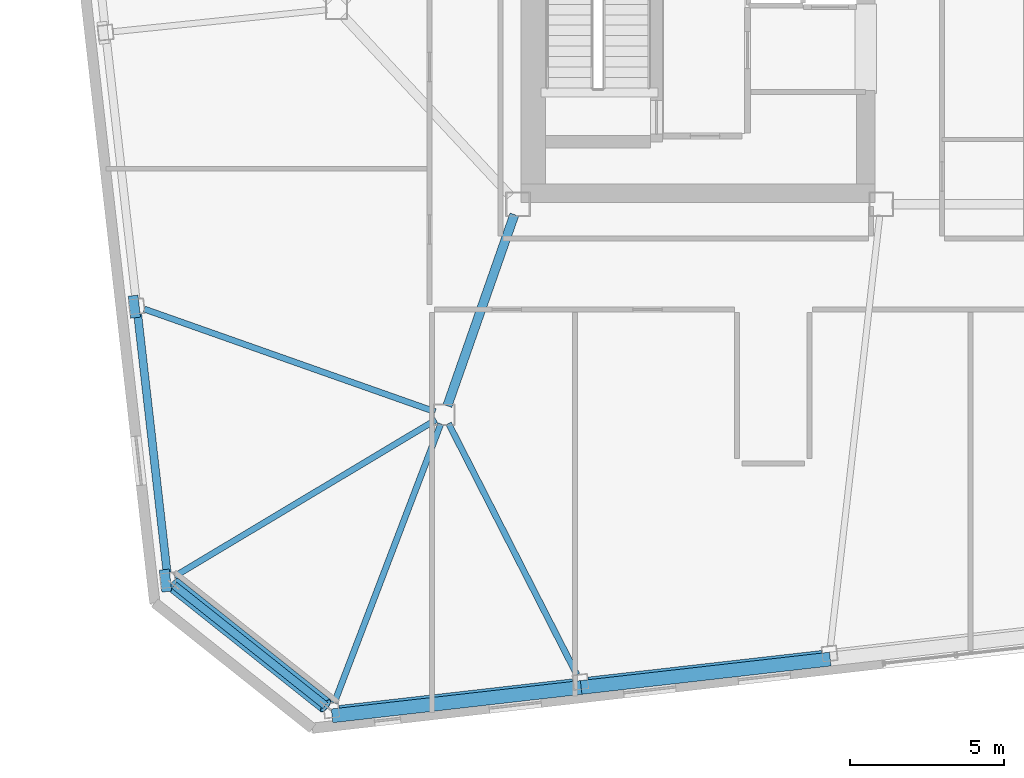
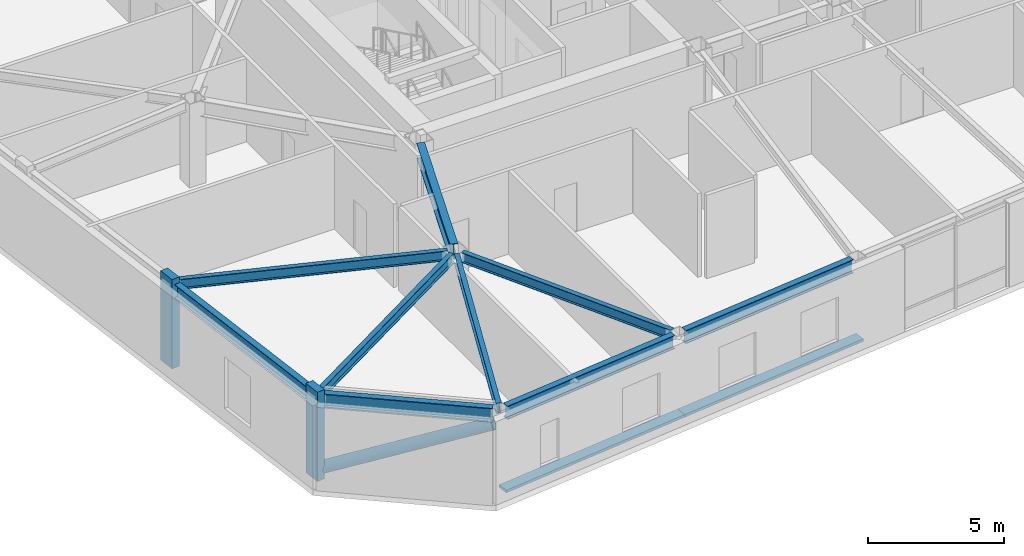
# One storey, part 3 of 19: 9 beams, 5 members.
"""IFC4 building model written with IfcOpenShell, lengths in metres."""

from ifc_helpers import new_model, si_unit, direction, frame, origin, origin_2d, place, context, subcontext, project, spatial, rectangle, hollow_circle, i_section, extrude, material, material_profile, profile_set, type_object, element, save


model = new_model("IFC4")

# Units and contexts
model_context = context("Model", 3, precision=1e-05, world=origin(), true_north=direction((0.0, 1.0)))
body_context = subcontext(model_context, "Body", "Model", "MODEL_VIEW")
ifc_project = project(units=[si_unit("LENGTHUNIT", "METRE"), si_unit("AREAUNIT", "SQUARE_METRE"), si_unit("VOLUMEUNIT", "CUBIC_METRE"), si_unit("PLANEANGLEUNIT", "RADIAN"), si_unit("MASSUNIT", "GRAM", prefix="KILO")], contexts=[model_context])

# Site, building, storey
site_placement = place(None, origin())
site = spatial("IfcSite", under=ifc_project, at=site_placement, CompositionType="ELEMENT")
building_placement = place(site_placement, origin())
building = spatial("IfcBuilding", under=site, at=building_placement, Name="Tavrogorsk Clinical Tower", CompositionType="ELEMENT")
storey_placement = place(building_placement, frame((0.0, 0.0, 259.0)))
storey = spatial("IfcBuildingStorey", under=building, at=storey_placement, Name="L60", CompositionType="ELEMENT", Elevation=259.0)

# Members
ifc_material_1 = material(Name="Anodised aluminium alloy AW-6063", Category="aluminium")
ifc_material_profile_1 = material_profile(ifc_material_1, rectangle(XDim=0.449951171875, YDim=0.1201171875, at=origin_2d()), Name="ALU-SUNSHADE-450x120")
ifc_profile_set_1 = profile_set([ifc_material_profile_1], Name="Anodised aluminium alloy AW-6063")
member_type_1 = type_object("IfcMemberType", Name="ChicagoSunshade_450x120", PredefinedType="USERDEFINED", material=ifc_profile_set_1)
for number, where, z_axis, x_axis, name in (
    (1, (-28.144287109375, -22.981201171875, 0.179931640625), (0.9935729766, 0.113193375116, 0.0), (-0.113193375116, 0.9935729766, 0.0), "L60 South Aluminium Sunshade S1"),
    (2, (-20.048095703125, -22.058837890625, 0.179931640625), (0.9935729766, 0.113193375116, 0.0), (-0.113193375116, 0.9935729766, 0.0), "L60 South Aluminium Sunshade S2"),
):
    element("IfcMember", number, at=place(storey_placement, frame(where, z_axis=z_axis, x_axis=x_axis)), inside=storey, type_object=member_type_1, Name=name, ObjectType="SUNSHADE", PredefinedType="USERDEFINED", context=body_context, shape_type="SweptSolid", body=[
        extrude(rectangle(XDim=0.449951171875, YDim=0.1201171875, at=origin_2d()), origin(), (0.0, 0.0, 1.0), 8.148681640625),
    ])
ifc_material_2 = material(Name="Structural steel S440", Category="steel")
ifc_material_profile_2 = material_profile(ifc_material_2, hollow_circle(Radius=0.25390625, WallThickness=0.02001953125, at=origin_2d()), Name="CHS-508x20")
ifc_profile_set_2 = profile_set([ifc_material_profile_2], Name="Structural steel S440")
member_type_2 = type_object("IfcMemberType", Name="ExoBrace_CHS508", PredefinedType="BRACE", material=ifc_profile_set_2)
member_placement = place(storey_placement, frame((-33.29052734375, -18.725341796875, 0.398193359375), z_axis=(0.723851679348, -0.575789482159, 0.380138420237), x_axis=(0.622522488852, 0.782601910855, 0.0)))
element("IfcMember", 3, at=member_placement, inside=storey, type_object=member_type_2, Name="L60 Corner Exoskeleton Brace W5-S1", PredefinedType="BRACE", context=body_context, shape_type="SweptSolid", body=[
    extrude(hollow_circle(Radius=0.25390625, WallThickness=0.02001953125, at=origin_2d()), origin(), (0.0, 0.0, 1.0), 6.8232421875),
])

# Beams
ifc_material_3 = material(Name="Structural steel S355", Category="steel")
ifc_material_profile_3 = material_profile(ifc_material_3, i_section(OverallWidth=0.199951171875, OverallDepth=0.449951171875, WebThickness=0.011474609375, FlangeThickness=0.01806640625, at=origin_2d()), Name="B-450x200x11.5x18")
ifc_profile_set_3 = profile_set([ifc_material_profile_3], Name="Structural steel S355")
beam_type_1 = type_object("IfcBeamType", Name="FloorBeam_B450", PredefinedType="BEAM", material=ifc_profile_set_3)
beam_1_placement = place(storey_placement, frame((-24.610595703125, -13.489501953125, 3.514892578125), z_axis=(-0.356548354426, -0.93427687061, 0.0), x_axis=(0.93427687061, -0.356548354426, 0.0)))
element("IfcBeam", 4, at=beam_1_placement, inside=storey, type_object=beam_type_1, Name="L60 Radial Floor Beam S1", PredefinedType="BEAM", context=body_context, shape_type="SweptSolid", body=[
    extrude(i_section(OverallWidth=0.199951171875, OverallDepth=0.449951171875, WebThickness=0.011474609375, FlangeThickness=0.01806640625, at=origin_2d()), origin(), (0.0, 0.0, 1.0), 9.710205078125),
])
beam_2_placement = place(storey_placement, frame((-24.359130859375, -13.47607421875, 3.514892578125), z_axis=(0.454709818127, -0.890639647275, 0.0), x_axis=(0.890639647275, 0.454709818127, 0.0)))
element("IfcBeam", 5, at=beam_2_placement, inside=storey, type_object=beam_type_1, Name="L60 Radial Floor Beam S2", PredefinedType="BEAM", context=body_context, shape_type="SweptSolid", body=[
    extrude(i_section(OverallWidth=0.199951171875, OverallDepth=0.449951171875, WebThickness=0.011474609375, FlangeThickness=0.01806640625, at=origin_2d()), origin(), (0.0, 0.0, 1.0), 9.177978515625),
])
beam_3_placement = place(storey_placement, frame((-24.792236328125, -13.096923828125, 3.514892578125), z_axis=(-0.943014153926, 0.332752619067, 0.0), x_axis=(-0.332752619067, -0.943014153926, 0.0)))
element("IfcBeam", 6, at=beam_3_placement, inside=storey, type_object=beam_type_1, Name="L60 Radial Floor Beam W4", PredefinedType="BEAM", context=body_context, shape_type="SweptSolid", body=[
    extrude(i_section(OverallWidth=0.199951171875, OverallDepth=0.449951171875, WebThickness=0.011474609375, FlangeThickness=0.01806640625, at=origin_2d()), origin(), (0.0, 0.0, 1.0), 10.027587890625),
])
beam_4_placement = place(storey_placement, frame((-24.765869140625, -13.359375, 3.514892578125), z_axis=(-0.857906237315, -0.513806274754, 0.0), x_axis=(0.513806274754, -0.857906237315, 0.0)))
element("IfcBeam", 7, at=beam_4_placement, inside=storey, type_object=beam_type_1, Name="L60 Radial Floor Beam W5", PredefinedType="BEAM", context=body_context, shape_type="SweptSolid", body=[
    extrude(i_section(OverallWidth=0.199951171875, OverallDepth=0.449951171875, WebThickness=0.011474609375, FlangeThickness=0.01806640625, at=origin_2d()), origin(), (0.0, 0.0, 1.0), 9.896240234375),
])

# Members
ifc_material_4 = material(Name="Precast concrete B45 with limestone cladding", Category="masonry")
ifc_material_profile_4 = material_profile(ifc_material_4, rectangle(XDim=0.320068359375, YDim=0.719970703125, at=origin_2d()), Name="LIMESTONE-FIN-320x720")
ifc_profile_set_4 = profile_set([ifc_material_profile_4], Name="Precast concrete B45 with limestone cladding")
member_type_3 = type_object("IfcMemberType", Name="LimestonePleatFin_320x720", PredefinedType="USERDEFINED", material=ifc_profile_set_4)
for number, where, z_axis, x_axis, name in (
    (8, (-34.571044921875, -9.683349609375, 0.0), (0.0, 0.0, 1.0), (0.993571855677, 0.113203213768, 0.0), "L60 W Pleated Stone Fin 3"),
    (9, (-33.556640625, -18.585693359375, 0.0), (0.0, 0.0, 1.0), (0.993571855677, 0.113203213768, 0.0), "L60 W Pleated Stone Fin 4"),
):
    element("IfcMember", number, at=place(storey_placement, frame(where, z_axis=z_axis, x_axis=x_axis)), inside=storey, type_object=member_type_3, Name=name, ObjectType="FIN", PredefinedType="USERDEFINED", context=body_context, shape_type="SweptSolid", body=[
        extrude(rectangle(XDim=0.320068359375, YDim=0.719970703125, at=origin_2d()), origin(), (0.0, 0.0, 1.0), 4.0),
    ])

# Beams
ifc_material_5 = material(Name="Structural steel S390", Category="steel")
ifc_material_profile_5 = material_profile(ifc_material_5, i_section(OverallWidth=0.300048828125, OverallDepth=0.699951171875, WebThickness=0.01708984375, FlangeThickness=0.028076171875, at=origin_2d()), Name="B-700x300x17x28")
ifc_profile_set_5 = profile_set([ifc_material_profile_5], Name="Structural steel S390")
beam_type_2 = type_object("IfcBeamType", Name="PrimaryGirder_B700", PredefinedType="USERDEFINED", material=ifc_profile_set_5)
beam_5_placement = place(storey_placement, frame((-24.3974609375, -12.907470703125, 3.389892578125), z_axis=(0.330654121425, 0.943752007672, 0.0), x_axis=(-0.943752007672, 0.330654121425, 0.0)))
element("IfcBeam", 10, at=beam_5_placement, inside=storey, type_object=beam_type_2, Name="L60 Spine Link Girder OPG-1", ObjectType="GIRDER", PredefinedType="USERDEFINED", context=body_context, shape_type="SweptSolid", body=[
    extrude(i_section(OverallWidth=0.300048828125, OverallDepth=0.699951171875, WebThickness=0.01708984375, FlangeThickness=0.028076171875, at=origin_2d()), origin(), (0.0, 0.0, 1.0), 6.58837890625),
])
ifc_material_6 = material(Name="Structural steel S390", Category="steel")
ifc_material_profile_6 = material_profile(ifc_material_6, i_section(OverallWidth=0.260009765625, OverallDepth=0.60009765625, WebThickness=0.014892578125, FlangeThickness=0.02392578125, at=origin_2d()), Name="B-600x260x15x24")
ifc_profile_set_6 = profile_set([ifc_material_profile_6], Name="Structural steel S390")
beam_type_3 = type_object("IfcBeamType", Name="SpandrelBeam_B600", PredefinedType="SPANDREL", material=ifc_profile_set_6)
for number, where, z_axis, x_axis, name in (
    (11, (-27.908447265625, -22.773193359375, 3.43994140625), (0.993575697004, 0.113169493787, 0.0), (-0.113169493787, 0.993575697004, 0.0), "L60 Perimeter Spandrel S1-S2"),
    (12, (-19.812255859375, -21.850830078125, 3.43994140625), (0.993572099834, 0.113201070804, 0.0), (-0.113201070804, 0.993572099834, 0.0), "L60 Perimeter Spandrel S2-S3"),
):
    element("IfcBeam", number, at=place(storey_placement, frame(where, z_axis=z_axis, x_axis=x_axis)), inside=storey, type_object=beam_type_3, Name=name, PredefinedType="SPANDREL", context=body_context, shape_type="SweptSolid", body=[
        extrude(i_section(OverallWidth=0.260009765625, OverallDepth=0.60009765625, WebThickness=0.014892578125, FlangeThickness=0.02392578125, at=origin_2d()), origin(), (0.0, 0.0, 1.0), 7.632568359375),
    ])
beam_6_placement = place(storey_placement, frame((-34.46240234375, -9.9306640625, 3.43994140625), z_axis=(0.113223671813, -0.993569524563, 0.0), x_axis=(0.993569524563, 0.113223671813, 0.0)))
element("IfcBeam", 13, at=beam_6_placement, inside=storey, type_object=beam_type_3, Name="L60 Perimeter Spandrel W4-W5", PredefinedType="SPANDREL", context=body_context, shape_type="SweptSolid", body=[
    extrude(i_section(OverallWidth=0.260009765625, OverallDepth=0.60009765625, WebThickness=0.014892578125, FlangeThickness=0.02392578125, at=origin_2d()), origin(), (0.0, 0.0, 1.0), 8.44384765625),
])
beam_7_placement = place(storey_placement, frame((-33.275390625, -18.7373046875, 3.43994140625), z_axis=(0.782608811853, -0.622513813188, 0.0), x_axis=(0.622513813188, 0.782608811853, 0.0)))
element("IfcBeam", 14, at=beam_7_placement, inside=storey, type_object=beam_type_3, Name="L60 Perimeter Spandrel W5-S1", PredefinedType="SPANDREL", context=body_context, shape_type="SweptSolid", body=[
    extrude(i_section(OverallWidth=0.260009765625, OverallDepth=0.60009765625, WebThickness=0.014892578125, FlangeThickness=0.02392578125, at=origin_2d()), origin(), (0.0, 0.0, 1.0), 6.272216796875),
])

save(model, "model.ifc")
